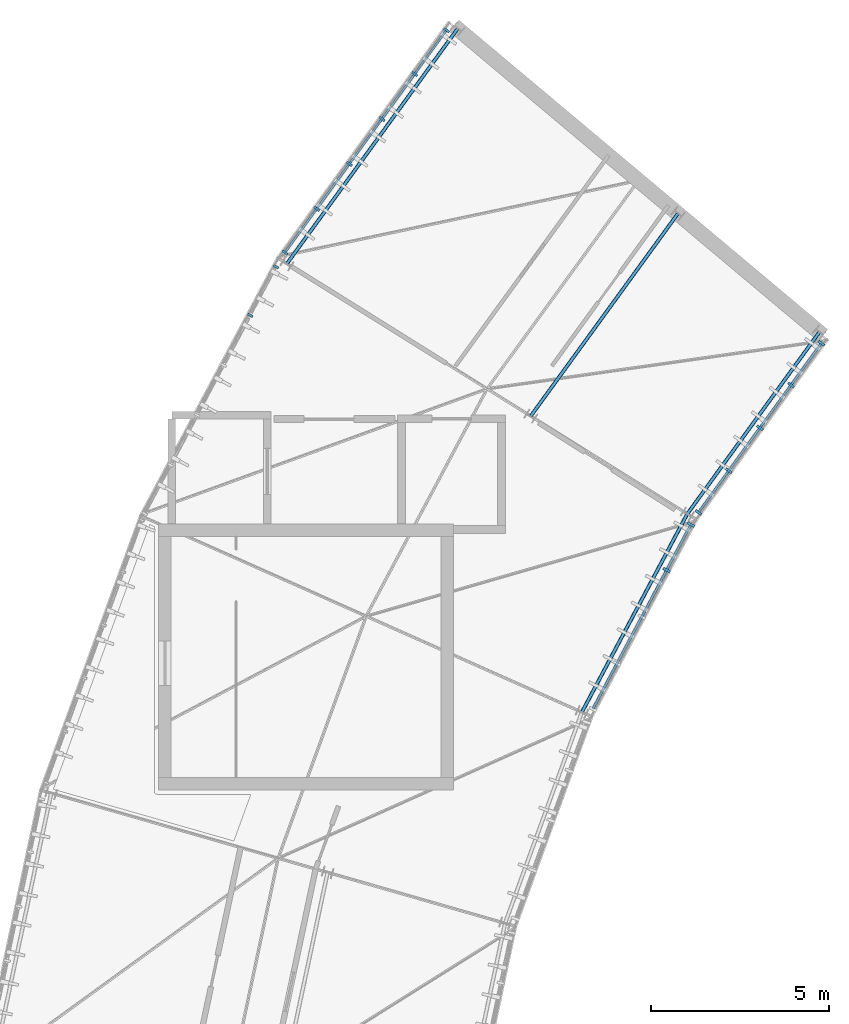
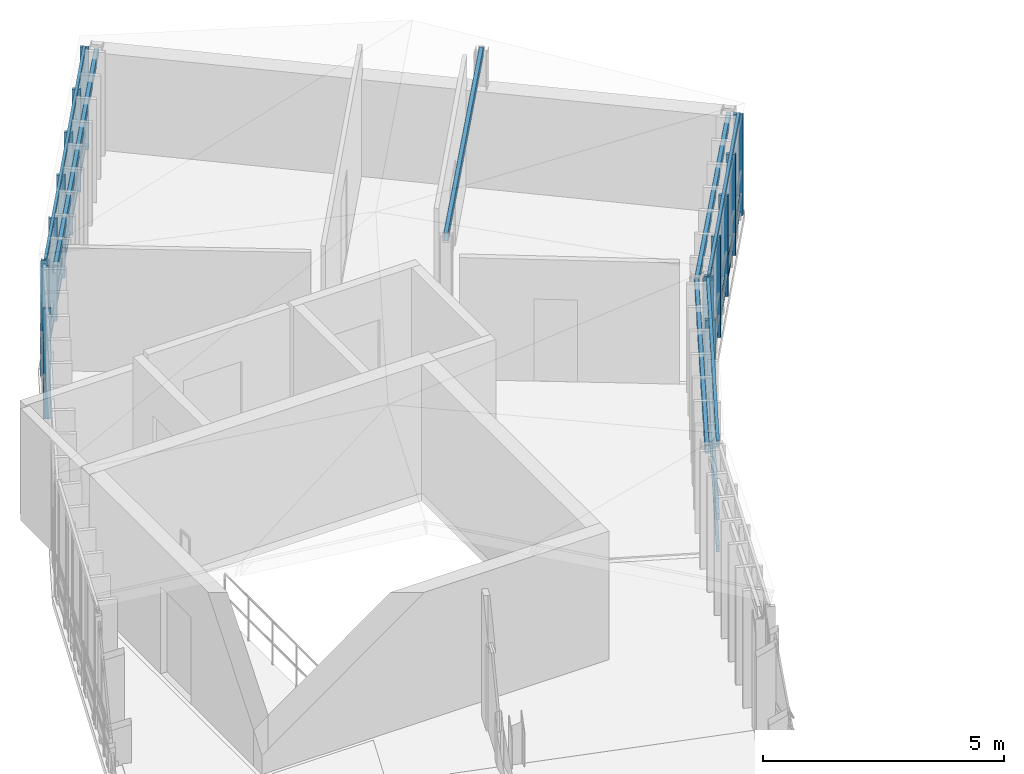
# One storey, part 5 of 18: 28 members, 4 elements without a shape of their own.
"""IFC4 building model written with IfcOpenShell, lengths in metres."""

from ifc_helpers import new_model, si_unit, direction, frame, origin, origin_2d, place, context, subcontext, project, spatial, rectangle, hollow_rectangle, extrude, material, layer, layer_set, material_profile, profile_set, type_object, element, aggregate, save


model = new_model("IFC4")

# Units and contexts
model_context = context("Model", 3, precision=1e-05, world=origin(), true_north=direction((0.0, 1.0)))
body_context = subcontext(model_context, "Body", "Model", "MODEL_VIEW")
ifc_project = project(units=[si_unit("LENGTHUNIT", "METRE"), si_unit("AREAUNIT", "SQUARE_METRE"), si_unit("VOLUMEUNIT", "CUBIC_METRE"), si_unit("PLANEANGLEUNIT", "RADIAN"), si_unit("MASSUNIT", "GRAM", prefix="KILO"), si_unit("THERMODYNAMICTEMPERATUREUNIT", "KELVIN"), si_unit("POWERUNIT", "WATT")], contexts=[model_context])

# Site, building, storey
site_placement = place(None, origin())
site = spatial("IfcSite", under=ifc_project, at=site_placement, CompositionType="ELEMENT")
building_placement = place(site_placement, origin())
building = spatial("IfcBuilding", under=site, at=building_placement, Name="Solvatero Civic Police Headquarters", CompositionType="ELEMENT")
storey_placement = place(building_placement, frame((0.0, 0.0, 29.39990234375)))
storey = spatial("IfcBuildingStorey", under=building, at=storey_placement, Name="L07", CompositionType="ELEMENT", Elevation=29.39990234375)

# Curtain wall, members
ifc_material_1 = material(Name="Anodized Bronze Aluminium", Category="aluminium")
ifc_layer_1 = layer(ifc_material_1, 0.179931640625)
ifc_layer_set_1 = layer_set([ifc_layer_1], Name="Anodized Bronze Aluminium")
curtain_wall_type_1 = type_object("IfcCurtainWallType", Name="CW-ARC-OUT", PredefinedType="USERDEFINED", material=ifc_layer_set_1)
curtain_wall_1_placement = place(storey_placement, origin())
curtain_wall_1 = element("IfcCurtainWall", 1, at=curtain_wall_1_placement, inside=storey, type_object=curtain_wall_type_1, Name="Curtain Wall CW-R2-L07-ARC-OUT-B09", ObjectType="UNITISED", PredefinedType="USERDEFINED")
ifc_material_profile_1 = material_profile(ifc_material_1, rectangle(XDim=0.06005859375, YDim=0.159912109375, at=origin_2d()), Name="ALU MULLION 60x160")
ifc_profile_set_1 = profile_set([ifc_material_profile_1], Name="Anodized Bronze Aluminium")
member_type_1 = type_object("IfcMemberType", Name="CWM-180x70", PredefinedType="MULLION", material=ifc_profile_set_1)
member_1_placement = place(storey_placement, frame((43.9560546875, 56.993408203125, 0.0), z_axis=(0.0, 0.0, 1.0), x_axis=(-0.469471562786, -0.882947592859, 0.0)))
member_1 = element("IfcMember", 2, at=member_1_placement, type_object=member_type_1, Name="CW-R2-L07-ARC-OUT-B09 Mullion 1", PredefinedType="MULLION", context=body_context, shape_type="SweptSolid", body=[
    extrude(rectangle(XDim=0.06005859375, YDim=0.159912109375, at=origin_2d()), origin(), (0.0, 0.0, 1.0), 2.79345703125),
])
member_2_placement = place(storey_placement, frame((43.2275390625, 55.623291015625, 0.0), z_axis=(0.0, 0.0, 1.0), x_axis=(-0.469471562786, -0.882947592859, 0.0)))
member_2 = element("IfcMember", 3, at=member_2_placement, type_object=member_type_1, Name="CW-R2-L07-ARC-OUT-B09 Mullion 2", PredefinedType="MULLION", context=body_context, shape_type="SweptSolid", body=[
    extrude(rectangle(XDim=0.06005859375, YDim=0.159912109375, at=origin_2d()), origin(), (0.0, 0.0, 1.0), 2.79345703125),
])
aggregate(curtain_wall_1, [member_1, member_2])

curtain_wall_2_placement = place(storey_placement, origin())
curtain_wall_2 = element("IfcCurtainWall", 4, at=curtain_wall_2_placement, inside=storey, type_object=curtain_wall_type_1, Name="Curtain Wall CW-R2-L07-ARC-OUT-B08", ObjectType="UNITISED", PredefinedType="USERDEFINED")
ifc_material_profile_2 = material_profile(ifc_material_1, rectangle(XDim=0.06494140625, YDim=0.179931640625, at=origin_2d()), Name="ALU MULLION 65x180")
ifc_profile_set_2 = profile_set([ifc_material_profile_2], Name="Anodized Bronze Aluminium")
member_type_2 = type_object("IfcMemberType", Name="CWM-200x75", PredefinedType="MULLION", material=ifc_profile_set_2)
member_3_placement = place(storey_placement, frame((48.756591796875, 63.65625, 0.0), z_axis=(0.0, 0.0, 1.0), x_axis=(-0.587785252292, -0.809016994375, 0.0)))
member_3 = element("IfcMember", 5, at=member_3_placement, type_object=member_type_2, Name="CW-R2-L07-ARC-OUT-B08 Mullion 1", PredefinedType="MULLION", context=body_context, shape_type="SweptSolid", body=[
    extrude(rectangle(XDim=0.06494140625, YDim=0.179931640625, at=origin_2d()), origin(), (0.0, 0.0, 1.0), 2.593505859375),
])
member_4_placement = place(storey_placement, frame((47.860595703125, 62.423095703125, 0.0), z_axis=(0.0, 0.0, 1.0), x_axis=(-0.587785252292, -0.809016994375, 0.0)))
member_4 = element("IfcMember", 6, at=member_4_placement, type_object=member_type_2, Name="CW-R2-L07-ARC-OUT-B08 Mullion 2", PredefinedType="MULLION", context=body_context, shape_type="SweptSolid", body=[
    extrude(rectangle(XDim=0.06494140625, YDim=0.179931640625, at=origin_2d()), origin(), (0.0, 0.0, 1.0), 2.593505859375),
])
member_5_placement = place(storey_placement, frame((46.94091796875, 61.1572265625, 0.0), z_axis=(0.0, 0.0, 1.0), x_axis=(-0.587785252292, -0.809016994375, 0.0)))
member_5 = element("IfcMember", 7, at=member_5_placement, type_object=member_type_2, Name="CW-R2-L07-ARC-OUT-B08 Mullion 3", PredefinedType="MULLION", context=body_context, shape_type="SweptSolid", body=[
    extrude(rectangle(XDim=0.06494140625, YDim=0.179931640625, at=origin_2d()), origin(), (0.0, 0.0, 1.0), 2.593505859375),
])
member_6_placement = place(storey_placement, frame((46.021240234375, 59.8916015625, 0.0), z_axis=(0.0, 0.0, 1.0), x_axis=(-0.587785252292, -0.809016994375, 0.0)))
member_6 = element("IfcMember", 8, at=member_6_placement, type_object=member_type_2, Name="CW-R2-L07-ARC-OUT-B08 Mullion 4", PredefinedType="MULLION", context=body_context, shape_type="SweptSolid", body=[
    extrude(rectangle(XDim=0.06494140625, YDim=0.179931640625, at=origin_2d()), origin(), (0.0, 0.0, 1.0), 2.593505859375),
])
member_7_placement = place(storey_placement, frame((45.101806640625, 58.6259765625, 0.0), z_axis=(0.0, 0.0, 1.0), x_axis=(-0.587785252292, -0.809016994375, 0.0)))
member_7 = element("IfcMember", 9, at=member_7_placement, type_object=member_type_2, Name="CW-R2-L07-ARC-OUT-B08 Mullion 5", PredefinedType="MULLION", context=body_context, shape_type="SweptSolid", body=[
    extrude(rectangle(XDim=0.06494140625, YDim=0.179931640625, at=origin_2d()), origin(), (0.0, 0.0, 1.0), 2.593505859375),
])
member_8_placement = place(storey_placement, frame((44.205810546875, 57.392578125, 0.0), z_axis=(0.0, 0.0, 1.0), x_axis=(-0.587785252292, -0.809016994375, 0.0)))
member_8 = element("IfcMember", 10, at=member_8_placement, type_object=member_type_2, Name="CW-R2-L07-ARC-OUT-B08 Mullion 6", PredefinedType="MULLION", context=body_context, shape_type="SweptSolid", body=[
    extrude(rectangle(XDim=0.06494140625, YDim=0.179931640625, at=origin_2d()), origin(), (0.0, 0.0, 1.0), 2.593505859375),
])

ifc_layer_2 = layer(ifc_material_1, 0.179931640625)
ifc_layer_set_2 = layer_set([ifc_layer_2], Name="Anodized Bronze Aluminium")
curtain_wall_type_2 = type_object("IfcCurtainWallType", Name="CW-ARC-IN", PredefinedType="USERDEFINED", material=ifc_layer_set_2)
curtain_wall_3_placement = place(storey_placement, origin())
curtain_wall_3 = element("IfcCurtainWall", 11, at=curtain_wall_3_placement, inside=storey, type_object=curtain_wall_type_2, Name="Curtain Wall CW-R2-L07-ARC-IN-B08", ObjectType="UNITISED", PredefinedType="USERDEFINED")
ifc_material_profile_3 = material_profile(ifc_material_1, rectangle(XDim=0.070068359375, YDim=0.199951171875, at=origin_2d()), Name="ALU MULLION 70x200")
ifc_profile_set_3 = profile_set([ifc_material_profile_3], Name="Anodized Bronze Aluminium")
member_type_3 = type_object("IfcMemberType", Name="CWM-220x80", PredefinedType="MULLION", material=ifc_profile_set_3)
member_9_placement = place(storey_placement, frame((59.316162109375, 54.83740234375, 0.0), z_axis=(0.0, 0.0, 1.0), x_axis=(-0.587785252292, -0.809016994375, 0.0)))
member_9 = element("IfcMember", 12, at=member_9_placement, type_object=member_type_3, Name="CW-R2-L07-ARC-IN-B08 Mullion 1", PredefinedType="MULLION", context=body_context, shape_type="SweptSolid", body=[
    extrude(rectangle(XDim=0.070068359375, YDim=0.199951171875, at=origin_2d()), origin(), (0.0, 0.0, 1.0), 2.5517578125),
])
member_10_placement = place(storey_placement, frame((58.462890625, 53.6630859375, 0.0), z_axis=(0.0, 0.0, 1.0), x_axis=(-0.587785252292, -0.809016994375, 0.0)))
member_10 = element("IfcMember", 13, at=member_10_placement, type_object=member_type_3, Name="CW-R2-L07-ARC-IN-B08 Mullion 2", PredefinedType="MULLION", context=body_context, shape_type="SweptSolid", body=[
    extrude(rectangle(XDim=0.070068359375, YDim=0.199951171875, at=origin_2d()), origin(), (0.0, 0.0, 1.0), 2.5517578125),
])
member_11_placement = place(storey_placement, frame((57.586181640625, 52.456298828125, 0.0), z_axis=(0.0, 0.0, 1.0), x_axis=(-0.587785252292, -0.809016994375, 0.0)))
member_11 = element("IfcMember", 14, at=member_11_placement, type_object=member_type_3, Name="CW-R2-L07-ARC-IN-B08 Mullion 3", PredefinedType="MULLION", context=body_context, shape_type="SweptSolid", body=[
    extrude(rectangle(XDim=0.070068359375, YDim=0.199951171875, at=origin_2d()), origin(), (0.0, 0.0, 1.0), 2.5517578125),
])
member_12_placement = place(storey_placement, frame((56.709228515625, 51.24951171875, 0.0), z_axis=(0.0, 0.0, 1.0), x_axis=(-0.587785252292, -0.809016994375, 0.0)))
member_12 = element("IfcMember", 15, at=member_12_placement, type_object=member_type_3, Name="CW-R2-L07-ARC-IN-B08 Mullion 4", PredefinedType="MULLION", context=body_context, shape_type="SweptSolid", body=[
    extrude(rectangle(XDim=0.070068359375, YDim=0.199951171875, at=origin_2d()), origin(), (0.0, 0.0, 1.0), 2.5517578125),
])
member_13_placement = place(storey_placement, frame((55.85595703125, 50.074951171875, 0.0), z_axis=(0.0, 0.0, 1.0), x_axis=(-0.587785252292, -0.809016994375, 0.0)))
member_13 = element("IfcMember", 16, at=member_13_placement, type_object=member_type_3, Name="CW-R2-L07-ARC-IN-B08 Mullion 5", PredefinedType="MULLION", context=body_context, shape_type="SweptSolid", body=[
    extrude(rectangle(XDim=0.070068359375, YDim=0.199951171875, at=origin_2d()), origin(), (0.0, 0.0, 1.0), 2.5517578125),
])

curtain_wall_4_placement = place(storey_placement, origin())
curtain_wall_4 = element("IfcCurtainWall", 17, at=curtain_wall_4_placement, inside=storey, type_object=curtain_wall_type_2, Name="Curtain Wall CW-R2-L07-ARC-IN-B09", ObjectType="UNITISED", PredefinedType="USERDEFINED")
ifc_material_profile_4 = material_profile(ifc_material_1, rectangle(XDim=0.074951171875, YDim=0.219970703125, at=origin_2d()), Name="ALU MULLION 75x220")
ifc_profile_set_4 = profile_set([ifc_material_profile_4], Name="Anodized Bronze Aluminium")
member_type_4 = type_object("IfcMemberType", Name="CWM-250x85", PredefinedType="MULLION", material=ifc_profile_set_4)
member_14_placement = place(storey_placement, frame((55.640380859375, 49.729736328125, 0.0), z_axis=(0.0, 0.0, 1.0), x_axis=(-0.469486973057, -0.8829393989, 0.0)))
member_14 = element("IfcMember", 18, at=member_14_placement, type_object=member_type_4, Name="CW-R2-L07-ARC-IN-B09 Mullion 1", PredefinedType="MULLION", context=body_context, shape_type="SweptSolid", body=[
    extrude(rectangle(XDim=0.074951171875, YDim=0.219970703125, at=origin_2d()), origin(), (0.0, 0.0, 1.0), 2.751708984375),
])
member_15_placement = place(storey_placement, frame((54.958740234375, 48.447998046875, 0.0), z_axis=(0.0, 0.0, 1.0), x_axis=(-0.469486973057, -0.8829393989, 0.0)))
member_15 = element("IfcMember", 19, at=member_15_placement, type_object=member_type_4, Name="CW-R2-L07-ARC-IN-B09 Mullion 2", PredefinedType="MULLION", context=body_context, shape_type="SweptSolid", body=[
    extrude(rectangle(XDim=0.074951171875, YDim=0.219970703125, at=origin_2d()), origin(), (0.0, 0.0, 1.0), 2.751708984375),
])
ifc_material_profile_5 = material_profile(ifc_material_1, rectangle(XDim=0.070068359375, YDim=0.159912109375, at=origin_2d()), Name="ALU TRANSOM 70x160")
ifc_profile_set_5 = profile_set([ifc_material_profile_5], Name="Anodized Bronze Aluminium")
member_type_5 = type_object("IfcMemberType", Name="CWT-120x55", PredefinedType="USERDEFINED", material=ifc_profile_set_5)
member_16_placement = place(storey_placement, frame((55.635498046875, 49.720947265625, 0.0400390625), z_axis=(-0.469477703238, -0.882944327895, 0.0), x_axis=(0.882944327895, -0.469477703238, 0.0)))
member_16 = element("IfcMember", 20, at=member_16_placement, type_object=member_type_5, Name="CW-R2-L07-ARC-IN-B09 Transom 1", ObjectType="TRANSOM", PredefinedType="USERDEFINED", context=body_context, shape_type="SweptSolid", body=[
    extrude(rectangle(XDim=0.070068359375, YDim=0.159912109375, at=origin_2d()), origin(), (0.0, 0.0, 1.0), 5.866943359375),
])
member_17_placement = place(storey_placement, frame((55.635498046875, 49.720947265625, 0.85009765625), z_axis=(-0.469477703238, -0.882944327895, 0.0), x_axis=(0.882944327895, -0.469477703238, 0.0)))
member_17 = element("IfcMember", 21, at=member_17_placement, type_object=member_type_5, Name="CW-R2-L07-ARC-IN-B09 Transom 2", ObjectType="TRANSOM", PredefinedType="USERDEFINED", context=body_context, shape_type="SweptSolid", body=[
    extrude(rectangle(XDim=0.070068359375, YDim=0.159912109375, at=origin_2d()), origin(), (0.0, 0.0, 1.0), 5.866943359375),
])
member_18_placement = place(storey_placement, frame((55.635498046875, 49.720947265625, 2.7119140625), z_axis=(-0.469477703238, -0.882944327895, 0.0), x_axis=(0.882944327895, -0.469477703238, 0.0)))
member_18 = element("IfcMember", 22, at=member_18_placement, type_object=member_type_5, Name="CW-R2-L07-ARC-IN-B09 Transom 3", ObjectType="TRANSOM", PredefinedType="USERDEFINED", context=body_context, shape_type="SweptSolid", body=[
    extrude(rectangle(XDim=0.070068359375, YDim=0.159912109375, at=origin_2d()), origin(), (0.0, 0.0, 1.0), 5.866943359375),
])
aggregate(curtain_wall_4, [member_14, member_15, member_16, member_17, member_18])

# Member
ifc_material_profile_6 = material_profile(ifc_material_1, rectangle(XDim=0.06005859375, YDim=0.125, at=origin_2d()), Name="ALU TRANSOM 60x125")
ifc_profile_set_6 = profile_set([ifc_material_profile_6], Name="Anodized Bronze Aluminium")
member_type_6 = type_object("IfcMemberType", Name="CWT-160x65", PredefinedType="USERDEFINED", material=ifc_profile_set_6)
member_19_placement = place(storey_placement, frame((48.750732421875, 63.648193359375, 0.0400390625), z_axis=(-0.587780631911, -0.809020351259, 0.0), x_axis=(0.809020351259, -0.587780631911, 0.0)))
member_19 = element("IfcMember", 23, at=member_19_placement, type_object=member_type_6, Name="CW-R2-L07-ARC-OUT-B08 Transom 1", ObjectType="TRANSOM", PredefinedType="USERDEFINED", context=body_context, shape_type="SweptSolid", body=[
    extrude(rectangle(XDim=0.06005859375, YDim=0.125, at=origin_2d()), origin(), (0.0, 0.0, 1.0), 7.722412109375),
])

member_20_placement = place(storey_placement, frame((48.750732421875, 63.648193359375, 0.4501953125), z_axis=(-0.587780631911, -0.809020351259, 0.0), x_axis=(0.809020351259, -0.587780631911, 0.0)))
member_20 = element("IfcMember", 24, at=member_20_placement, type_object=member_type_6, Name="CW-R2-L07-ARC-OUT-B08 Transom 2", ObjectType="TRANSOM", PredefinedType="USERDEFINED", context=body_context, shape_type="SweptSolid", body=[
    extrude(rectangle(XDim=0.06005859375, YDim=0.125, at=origin_2d()), origin(), (0.0, 0.0, 1.0), 7.722412109375),
])

member_21_placement = place(storey_placement, frame((48.750732421875, 63.648193359375, 2.553466796875), z_axis=(-0.587780631911, -0.809020351259, 0.0), x_axis=(0.809020351259, -0.587780631911, 0.0)))
member_21 = element("IfcMember", 25, at=member_21_placement, type_object=member_type_6, Name="CW-R2-L07-ARC-OUT-B08 Transom 3", ObjectType="TRANSOM", PredefinedType="USERDEFINED", context=body_context, shape_type="SweptSolid", body=[
    extrude(rectangle(XDim=0.06005859375, YDim=0.125, at=origin_2d()), origin(), (0.0, 0.0, 1.0), 7.722412109375),
])

aggregate(curtain_wall_2, [member_3, member_4, member_5, member_6, member_7, member_8, member_19, member_20, member_21])

ifc_material_profile_7 = material_profile(ifc_material_1, rectangle(XDim=0.06494140625, YDim=0.139892578125, at=origin_2d()), Name="ALU TRANSOM 65x140")
ifc_profile_set_7 = profile_set([ifc_material_profile_7], Name="Anodized Bronze Aluminium")
member_type_7 = type_object("IfcMemberType", Name="CWT-180x70", PredefinedType="USERDEFINED", material=ifc_profile_set_7)
member_22_placement = place(storey_placement, frame((59.310302734375, 54.829345703125, 0.0400390625), z_axis=(-0.587793061325, -0.809011320723, 0.0), x_axis=(0.809011320723, -0.587793061325, 0.0)))
member_22 = element("IfcMember", 26, at=member_22_placement, type_object=member_type_7, Name="CW-R2-L07-ARC-IN-B08 Transom 1", ObjectType="TRANSOM", PredefinedType="USERDEFINED", context=body_context, shape_type="SweptSolid", body=[
    extrude(rectangle(XDim=0.06494140625, YDim=0.139892578125, at=origin_2d()), origin(), (0.0, 0.0, 1.0), 5.866943359375),
])

member_23_placement = place(storey_placement, frame((59.310302734375, 54.829345703125, 0.4501953125), z_axis=(-0.587793061325, -0.809011320723, 0.0), x_axis=(0.809011320723, -0.587793061325, 0.0)))
member_23 = element("IfcMember", 27, at=member_23_placement, type_object=member_type_7, Name="CW-R2-L07-ARC-IN-B08 Transom 2", ObjectType="TRANSOM", PredefinedType="USERDEFINED", context=body_context, shape_type="SweptSolid", body=[
    extrude(rectangle(XDim=0.06494140625, YDim=0.139892578125, at=origin_2d()), origin(), (0.0, 0.0, 1.0), 5.866943359375),
])

member_24_placement = place(storey_placement, frame((59.310302734375, 54.829345703125, 2.51171875), z_axis=(-0.587793061325, -0.809011320723, 0.0), x_axis=(0.809011320723, -0.587793061325, 0.0)))
member_24 = element("IfcMember", 28, at=member_24_placement, type_object=member_type_7, Name="CW-R2-L07-ARC-IN-B08 Transom 3", ObjectType="TRANSOM", PredefinedType="USERDEFINED", context=body_context, shape_type="SweptSolid", body=[
    extrude(rectangle(XDim=0.06494140625, YDim=0.139892578125, at=origin_2d()), origin(), (0.0, 0.0, 1.0), 5.866943359375),
])

aggregate(curtain_wall_3, [member_9, member_10, member_11, member_12, member_13, member_22, member_23, member_24])

# Members
ifc_material_2 = material(Name="Steel S355", Category="steel")
ifc_material_profile_8 = material_profile(ifc_material_2, hollow_rectangle(XDim=0.10009765625, YDim=0.199951171875, WallThickness=0.008056640625, InnerFilletRadius=0.008056640625, OuterFilletRadius=0.01611328125, at=origin_2d()), Name="RHS 200x100x8.0")
ifc_profile_set_8 = profile_set([ifc_material_profile_8], Name="Steel S355")
member_type_8 = type_object("IfcMemberType", Name="MB-BR-RHS200", PredefinedType="BRACE", material=ifc_profile_set_8)
member_25_placement = place(storey_placement, frame((59.260009765625, 55.150390625, 2.320068359375), z_axis=(-0.587499763143, -0.808607630412, 0.031586838181), x_axis=(0.809011317892, -0.587793065222, 0.0)))
element("IfcMember", 29, at=member_25_placement, inside=storey, type_object=member_type_8, Name="Arc Roof Purlin B8 EIN", PredefinedType="BRACE", context=body_context, shape_type="SweptSolid", body=[
    extrude(hollow_rectangle(XDim=0.10009765625, YDim=0.199951171875, WallThickness=0.008056640625, InnerFilletRadius=0.008056640625, OuterFilletRadius=0.01611328125, at=origin_2d()), origin(), (0.0, 0.0, 1.0), 6.330322265625),
])
member_26_placement = place(storey_placement, frame((55.276611328125, 58.492919921875, 3.335205078125), z_axis=(-0.58756503985, -0.808680505376, 0.028340151215), x_axis=(0.809005452733, -0.587801137672, 0.0)))
element("IfcMember", 30, at=member_26_placement, inside=storey, type_object=member_type_8, Name="Arc Roof Purlin B8 RDG", PredefinedType="BRACE", context=body_context, shape_type="SweptSolid", body=[
    extrude(hollow_rectangle(XDim=0.10009765625, YDim=0.199951171875, WallThickness=0.008056640625, InnerFilletRadius=0.008056640625, OuterFilletRadius=0.01611328125, at=origin_2d()), origin(), (0.0, 0.0, 1.0), 7.055419921875),
])
member_27_placement = place(storey_placement, frame((49.071533203125, 63.699462890625, 2.320068359375), z_axis=(-0.587620098063, -0.808768088268, 0.024429485295), x_axis=(0.809009532641, -0.587795522351, 0.0)))
element("IfcMember", 31, at=member_27_placement, inside=storey, type_object=member_type_8, Name="Arc Roof Purlin B8 EOUT", PredefinedType="BRACE", context=body_context, shape_type="SweptSolid", body=[
    extrude(hollow_rectangle(XDim=0.10009765625, YDim=0.199951171875, WallThickness=0.008056640625, InnerFilletRadius=0.008056640625, OuterFilletRadius=0.01611328125, at=origin_2d()), origin(), (0.0, 0.0, 1.0), 8.184814453125),
])
member_28_placement = place(storey_placement, frame((55.541015625, 50.03173828125, 2.52001953125), z_axis=(-0.469235398684, -0.882506588632, 0.031626913276), x_axis=(0.882948288766, -0.469470253972, 0.0)))
element("IfcMember", 32, at=member_28_placement, inside=storey, type_object=member_type_8, Name="Arc Roof Purlin B9 EIN", PredefinedType="BRACE", context=body_context, shape_type="SweptSolid", body=[
    extrude(hollow_rectangle(XDim=0.10009765625, YDim=0.199951171875, WallThickness=0.008056640625, InnerFilletRadius=0.008056640625, OuterFilletRadius=0.01611328125, at=origin_2d()), origin(), (0.0, 0.0, 1.0), 6.329833984375),
])

save(model, "model.ifc")
